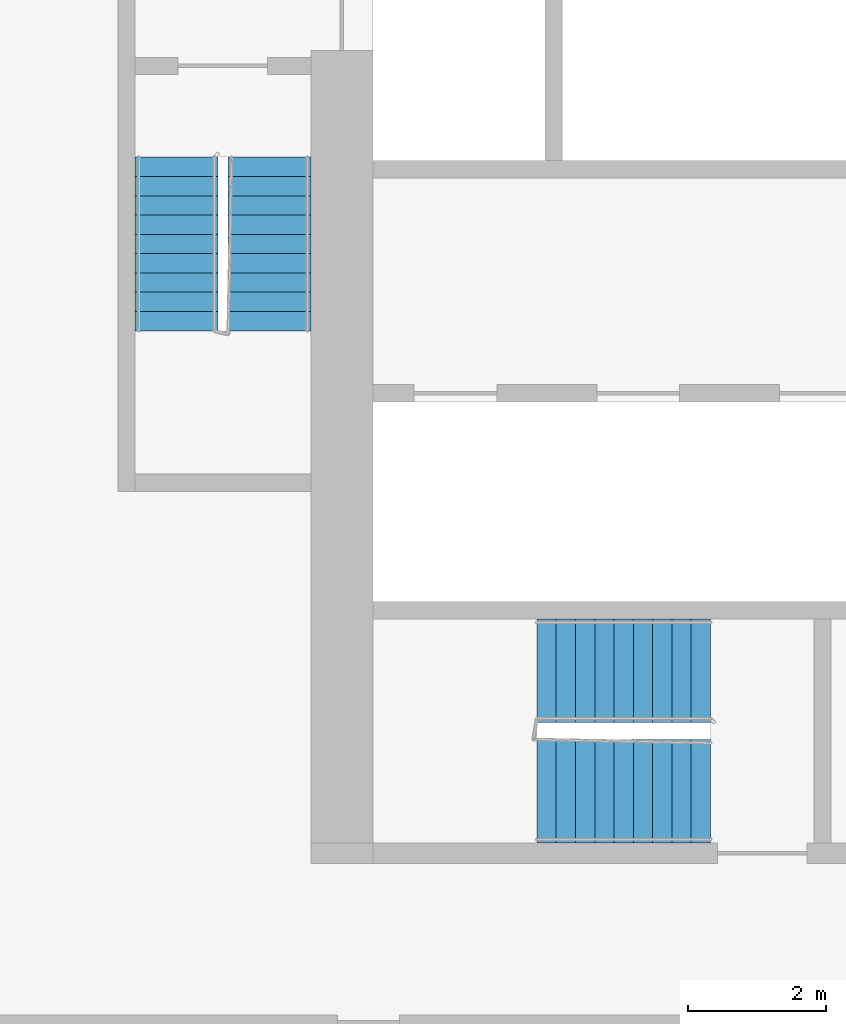
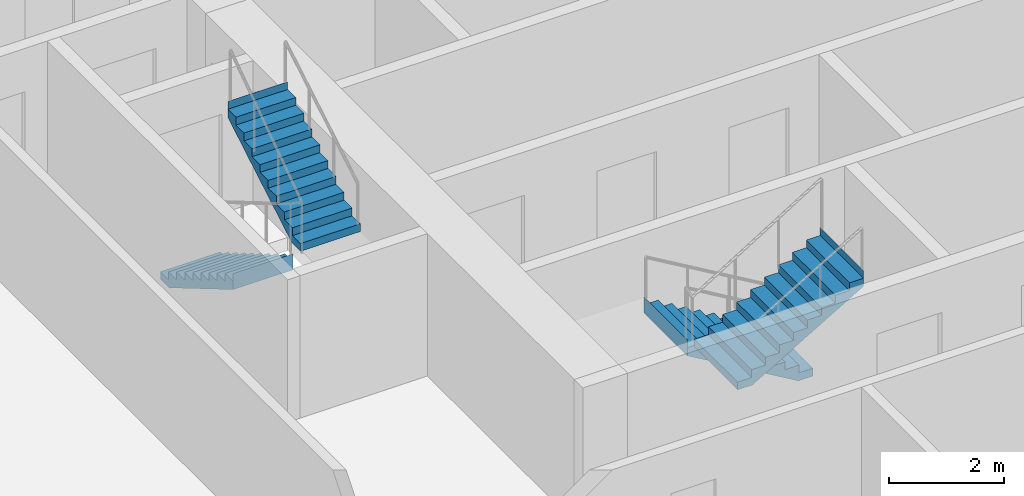
# One storey, part 9 of 12: 4 stair flights, 2 elements without a shape of their own.
"""IFC4 building model written with IfcOpenShell, lengths in metres."""

from ifc_helpers import new_model, si_unit, direction, frame, origin, place, context, subcontext, project, spatial, faceted_brep, material, type_object, element, aggregate, save


model = new_model("IFC4")

# Units and contexts
model_context = context("Model", 3, precision=1e-05, world=origin(), true_north=direction((0.0, 1.0)))
body_context = subcontext(model_context, "Body", "Model", "MODEL_VIEW")
ifc_project = project(units=[si_unit("LENGTHUNIT", "METRE"), si_unit("AREAUNIT", "SQUARE_METRE"), si_unit("VOLUMEUNIT", "CUBIC_METRE"), si_unit("PLANEANGLEUNIT", "RADIAN"), si_unit("MASSUNIT", "GRAM", prefix="KILO")], contexts=[model_context])

# Site, building, storey
site_placement = place(None, origin())
site = spatial("IfcSite", under=ifc_project, at=site_placement, CompositionType="ELEMENT")
building_placement = place(site_placement, origin())
building = spatial("IfcBuilding", under=site, at=building_placement, Name="Kajstack Hotel Tower", CompositionType="ELEMENT")
storey_placement = place(building_placement, frame((0.0, 0.0, 86.39990234375)))
storey = spatial("IfcBuildingStorey", under=building, at=storey_placement, Name="L17", CompositionType="ELEMENT", Elevation=86.39990234375)

# Stair, stair flights
ifc_material = material(Name="Concrete C40/50", Category="concrete")
stair_type_1 = type_object("IfcStairType", Name="Exit stair 1200", PredefinedType="HALF_TURN_STAIR", material=ifc_material)
stair_1_placement = place(storey_placement, origin())
stair_1 = element("IfcStair", 1, at=stair_1_placement, inside=storey, type_object=stair_type_1, Name="L17 stair W1", PredefinedType="HALF_TURN_STAIR")
stair_flight_type_1 = type_object("IfcStairFlightType", Name="Exit stair flight 1200", PredefinedType="STRAIGHT", material=ifc_material)
stair_flight_1_placement = place(storey_placement, frame((-33.449951171875, -5.25, 0.0), z_axis=(0.0, 0.0, 1.0), x_axis=(0.0, -1.0, 0.0)))
stair_flight_1 = element("IfcStairFlight", 2, at=stair_flight_1_placement, type_object=stair_flight_type_1, Name="W1 flight 1", NumberOfRisers=10, NumberOfTreads=9, PredefinedType="STRAIGHT", RiserHeight=0.165, TreadLength=0.28, context=body_context, shape_type="Brep", body=[
    faceted_brep([(0.295654296875, -0.60009765625, 0.0), (2.5205078125, -0.60009765625, 1.31103515625), (2.5205078125, -0.60009765625, 1.64990234375), (2.52001953125, -0.60009765625, 1.64990234375), (2.52001953125, -0.60009765625, 1.485107421875), (2.239990234375, -0.60009765625, 1.485107421875), (2.239990234375, -0.60009765625, 1.320068359375), (1.9599609375, -0.60009765625, 1.320068359375), (1.9599609375, -0.60009765625, 1.155029296875), (1.679931640625, -0.60009765625, 1.155029296875), (1.679931640625, -0.60009765625, 0.989990234375), (1.39990234375, -0.60009765625, 0.989990234375), (1.39990234375, -0.60009765625, 0.824951171875), (1.1201171875, -0.60009765625, 0.824951171875), (1.1201171875, -0.60009765625, 0.659912109375), (0.840087890625, -0.60009765625, 0.659912109375), (0.840087890625, -0.60009765625, 0.4951171875), (0.56005859375, -0.60009765625, 0.4951171875), (0.56005859375, -0.60009765625, 0.330078125), (0.280029296875, -0.60009765625, 0.330078125), (0.280029296875, -0.60009765625, 0.1650390625), (-0.00048828125, -0.60009765625, 0.1650390625), (-0.00048828125, -0.60009765625, 0.0), (-0.00048828125, 0.60009765625, 0.0), (-0.00048828125, 0.60009765625, 0.1650390625), (0.280029296875, 0.60009765625, 0.1650390625), (0.280029296875, 0.60009765625, 0.330078125), (0.56005859375, 0.60009765625, 0.330078125), (0.56005859375, 0.60009765625, 0.4951171875), (0.840087890625, 0.60009765625, 0.4951171875), (0.840087890625, 0.60009765625, 0.659912109375), (1.1201171875, 0.60009765625, 0.659912109375), (1.1201171875, 0.60009765625, 0.824951171875), (1.39990234375, 0.60009765625, 0.824951171875), (1.39990234375, 0.60009765625, 0.989990234375), (1.679931640625, 0.60009765625, 0.989990234375), (1.679931640625, 0.60009765625, 1.155029296875), (1.9599609375, 0.60009765625, 1.155029296875), (1.9599609375, 0.60009765625, 1.320068359375), (2.239990234375, 0.60009765625, 1.320068359375), (2.239990234375, 0.60009765625, 1.485107421875), (2.52001953125, 0.60009765625, 1.485107421875), (2.52001953125, 0.60009765625, 1.64990234375), (2.5205078125, 0.60009765625, 1.64990234375), (2.5205078125, 0.60009765625, 1.31103515625), (0.295654296875, 0.60009765625, 0.0), (-0.00048828125, -0.300048828125, 0.1650390625), (-0.00048828125, 0.0, 0.1650390625), (-0.00048828125, 0.300048828125, 0.1650390625), (-0.00048828125, 0.300048828125, 0.0), (-0.00048828125, 0.0, 0.0), (-0.00048828125, -0.300048828125, 0.0), (0.280029296875, -0.300048828125, 0.1650390625), (0.280029296875, 0.0, 0.1650390625), (0.280029296875, 0.300048828125, 0.1650390625), (0.280029296875, -0.300048828125, 0.330078125), (0.280029296875, 0.0, 0.330078125), (0.280029296875, 0.300048828125, 0.330078125), (0.56005859375, -0.300048828125, 0.330078125), (0.56005859375, 0.0, 0.330078125), (0.56005859375, 0.300048828125, 0.330078125), (0.56005859375, -0.300048828125, 0.4951171875), (0.56005859375, 0.0, 0.4951171875), (0.56005859375, 0.300048828125, 0.4951171875), (0.840087890625, -0.300048828125, 0.4951171875), (0.840087890625, 0.0, 0.4951171875), (0.840087890625, 0.300048828125, 0.4951171875), (0.840087890625, -0.300048828125, 0.659912109375), (0.840087890625, 0.0, 0.659912109375), (0.840087890625, 0.300048828125, 0.659912109375), (1.1201171875, -0.300048828125, 0.659912109375), (1.1201171875, 0.0, 0.659912109375), (1.1201171875, 0.300048828125, 0.659912109375), (1.1201171875, -0.300048828125, 0.824951171875), (1.1201171875, 0.0, 0.824951171875), (1.1201171875, 0.300048828125, 0.824951171875), (1.39990234375, -0.300048828125, 0.824951171875), (1.39990234375, 0.0, 0.824951171875), (1.39990234375, 0.300048828125, 0.824951171875), (1.39990234375, -0.300048828125, 0.989990234375), (1.39990234375, 0.0, 0.989990234375), (1.39990234375, 0.300048828125, 0.989990234375), (1.679931640625, -0.300048828125, 0.989990234375), (1.679931640625, 0.0, 0.989990234375), (1.679931640625, 0.300048828125, 0.989990234375), (1.679931640625, -0.300048828125, 1.155029296875), (1.679931640625, 0.0, 1.155029296875), (1.679931640625, 0.300048828125, 1.155029296875), (1.9599609375, -0.300048828125, 1.155029296875), (1.9599609375, 0.0, 1.155029296875), (1.9599609375, 0.300048828125, 1.155029296875), (1.9599609375, -0.300048828125, 1.320068359375), (1.9599609375, 0.0, 1.320068359375), (1.9599609375, 0.300048828125, 1.320068359375), (2.239990234375, -0.300048828125, 1.320068359375), (2.239990234375, 0.0, 1.320068359375), (2.239990234375, 0.300048828125, 1.320068359375), (2.239990234375, -0.300048828125, 1.485107421875), (2.239990234375, 0.0, 1.485107421875), (2.239990234375, 0.300048828125, 1.485107421875), (2.52001953125, -0.300048828125, 1.485107421875), (2.52001953125, 0.0, 1.485107421875), (2.52001953125, 0.300048828125, 1.485107421875), (2.52001953125, -0.300048828125, 1.64990234375), (2.52001953125, 0.0, 1.64990234375), (2.52001953125, 0.300048828125, 1.64990234375), (2.5205078125, -0.300048828125, 1.64990234375), (2.5205078125, 0.0, 1.64990234375), (2.5205078125, 0.300048828125, 1.64990234375), (2.5205078125, -0.300048828125, 1.31103515625), (2.5205078125, 0.0, 1.31103515625), (2.5205078125, 0.300048828125, 1.31103515625), (0.295654296875, -0.300048828125, 0.0), (0.295654296875, 0.0, 0.0), (0.295654296875, 0.300048828125, 0.0)], [[[0, 1, 2, 3, 4, 5, 6, 7, 8, 9, 10, 11, 12, 13, 14, 15, 16, 17, 18, 19, 20, 21, 22]], [[23, 24, 25, 26, 27, 28, 29, 30, 31, 32, 33, 34, 35, 36, 37, 38, 39, 40, 41, 42, 43, 44, 45]], [[21, 46, 47, 48, 24, 23, 49, 50, 51, 22]], [[20, 52, 53, 54, 25, 24, 48, 47, 46, 21]], [[19, 55, 56, 57, 26, 25, 54, 53, 52, 20]], [[18, 58, 59, 60, 27, 26, 57, 56, 55, 19]], [[17, 61, 62, 63, 28, 27, 60, 59, 58, 18]], [[16, 64, 65, 66, 29, 28, 63, 62, 61, 17]], [[15, 67, 68, 69, 30, 29, 66, 65, 64, 16]], [[14, 70, 71, 72, 31, 30, 69, 68, 67, 15]], [[13, 73, 74, 75, 32, 31, 72, 71, 70, 14]], [[12, 76, 77, 78, 33, 32, 75, 74, 73, 13]], [[11, 79, 80, 81, 34, 33, 78, 77, 76, 12]], [[10, 82, 83, 84, 35, 34, 81, 80, 79, 11]], [[9, 85, 86, 87, 36, 35, 84, 83, 82, 10]], [[8, 88, 89, 90, 37, 36, 87, 86, 85, 9]], [[7, 91, 92, 93, 38, 37, 90, 89, 88, 8]], [[6, 94, 95, 96, 39, 38, 93, 92, 91, 7]], [[5, 97, 98, 99, 40, 39, 96, 95, 94, 6]], [[4, 100, 101, 102, 41, 40, 99, 98, 97, 5]], [[3, 103, 104, 105, 42, 41, 102, 101, 100, 4]], [[2, 106, 107, 108, 43, 42, 105, 104, 103, 3]], [[1, 109, 110, 111, 44, 43, 108, 107, 106, 2]], [[0, 112, 113, 114, 45, 44, 111, 110, 109, 1]], [[22, 51, 50, 49, 23, 45, 114, 113, 112, 0]]]),
])
stair_flight_2_placement = place(storey_placement, frame((-32.10009765625, -7.77001953125, 1.650146484375), z_axis=(0.0, 0.0, 1.0), x_axis=(0.0, 1.0, 0.0)))
stair_flight_2 = element("IfcStairFlight", 3, at=stair_flight_2_placement, type_object=stair_flight_type_1, Name="W1 flight 2", NumberOfRisers=10, NumberOfTreads=9, PredefinedType="STRAIGHT", RiserHeight=0.165, TreadLength=0.28, context=body_context, shape_type="Brep", body=[
    faceted_brep([(0.295654296875, -0.60009765625, 0.0), (2.5205078125, -0.60009765625, 1.31103515625), (2.5205078125, -0.60009765625, 1.64990234375), (2.52001953125, -0.60009765625, 1.64990234375), (2.52001953125, -0.60009765625, 1.485107421875), (2.239990234375, -0.60009765625, 1.485107421875), (2.239990234375, -0.60009765625, 1.320068359375), (1.9599609375, -0.60009765625, 1.320068359375), (1.9599609375, -0.60009765625, 1.155029296875), (1.679931640625, -0.60009765625, 1.155029296875), (1.679931640625, -0.60009765625, 0.989990234375), (1.39990234375, -0.60009765625, 0.989990234375), (1.39990234375, -0.60009765625, 0.824951171875), (1.1201171875, -0.60009765625, 0.824951171875), (1.1201171875, -0.60009765625, 0.659912109375), (0.840087890625, -0.60009765625, 0.659912109375), (0.840087890625, -0.60009765625, 0.4951171875), (0.56005859375, -0.60009765625, 0.4951171875), (0.56005859375, -0.60009765625, 0.330078125), (0.280029296875, -0.60009765625, 0.330078125), (0.280029296875, -0.60009765625, 0.1650390625), (-0.00048828125, -0.60009765625, 0.1650390625), (-0.00048828125, -0.60009765625, 0.0), (-0.00048828125, 0.60009765625, 0.0), (-0.00048828125, 0.60009765625, 0.1650390625), (0.280029296875, 0.60009765625, 0.1650390625), (0.280029296875, 0.60009765625, 0.330078125), (0.56005859375, 0.60009765625, 0.330078125), (0.56005859375, 0.60009765625, 0.4951171875), (0.840087890625, 0.60009765625, 0.4951171875), (0.840087890625, 0.60009765625, 0.659912109375), (1.1201171875, 0.60009765625, 0.659912109375), (1.1201171875, 0.60009765625, 0.824951171875), (1.39990234375, 0.60009765625, 0.824951171875), (1.39990234375, 0.60009765625, 0.989990234375), (1.679931640625, 0.60009765625, 0.989990234375), (1.679931640625, 0.60009765625, 1.155029296875), (1.9599609375, 0.60009765625, 1.155029296875), (1.9599609375, 0.60009765625, 1.320068359375), (2.239990234375, 0.60009765625, 1.320068359375), (2.239990234375, 0.60009765625, 1.485107421875), (2.52001953125, 0.60009765625, 1.485107421875), (2.52001953125, 0.60009765625, 1.64990234375), (2.5205078125, 0.60009765625, 1.64990234375), (2.5205078125, 0.60009765625, 1.31103515625), (0.295654296875, 0.60009765625, 0.0), (-0.00048828125, -0.300048828125, 0.1650390625), (-0.00048828125, 0.0, 0.1650390625), (-0.00048828125, 0.300048828125, 0.1650390625), (-0.00048828125, 0.300048828125, 0.0), (-0.00048828125, 0.0, 0.0), (-0.00048828125, -0.300048828125, 0.0), (0.280029296875, -0.300048828125, 0.1650390625), (0.280029296875, 0.0, 0.1650390625), (0.280029296875, 0.300048828125, 0.1650390625), (0.280029296875, -0.300048828125, 0.330078125), (0.280029296875, 0.0, 0.330078125), (0.280029296875, 0.300048828125, 0.330078125), (0.56005859375, -0.300048828125, 0.330078125), (0.56005859375, 0.0, 0.330078125), (0.56005859375, 0.300048828125, 0.330078125), (0.56005859375, -0.300048828125, 0.4951171875), (0.56005859375, 0.0, 0.4951171875), (0.56005859375, 0.300048828125, 0.4951171875), (0.840087890625, -0.300048828125, 0.4951171875), (0.840087890625, 0.0, 0.4951171875), (0.840087890625, 0.300048828125, 0.4951171875), (0.840087890625, -0.300048828125, 0.659912109375), (0.840087890625, 0.0, 0.659912109375), (0.840087890625, 0.300048828125, 0.659912109375), (1.1201171875, -0.300048828125, 0.659912109375), (1.1201171875, 0.0, 0.659912109375), (1.1201171875, 0.300048828125, 0.659912109375), (1.1201171875, -0.300048828125, 0.824951171875), (1.1201171875, 0.0, 0.824951171875), (1.1201171875, 0.300048828125, 0.824951171875), (1.39990234375, -0.300048828125, 0.824951171875), (1.39990234375, 0.0, 0.824951171875), (1.39990234375, 0.300048828125, 0.824951171875), (1.39990234375, -0.300048828125, 0.989990234375), (1.39990234375, 0.0, 0.989990234375), (1.39990234375, 0.300048828125, 0.989990234375), (1.679931640625, -0.300048828125, 0.989990234375), (1.679931640625, 0.0, 0.989990234375), (1.679931640625, 0.300048828125, 0.989990234375), (1.679931640625, -0.300048828125, 1.155029296875), (1.679931640625, 0.0, 1.155029296875), (1.679931640625, 0.300048828125, 1.155029296875), (1.9599609375, -0.300048828125, 1.155029296875), (1.9599609375, 0.0, 1.155029296875), (1.9599609375, 0.300048828125, 1.155029296875), (1.9599609375, -0.300048828125, 1.320068359375), (1.9599609375, 0.0, 1.320068359375), (1.9599609375, 0.300048828125, 1.320068359375), (2.239990234375, -0.300048828125, 1.320068359375), (2.239990234375, 0.0, 1.320068359375), (2.239990234375, 0.300048828125, 1.320068359375), (2.239990234375, -0.300048828125, 1.485107421875), (2.239990234375, 0.0, 1.485107421875), (2.239990234375, 0.300048828125, 1.485107421875), (2.52001953125, -0.300048828125, 1.485107421875), (2.52001953125, 0.0, 1.485107421875), (2.52001953125, 0.300048828125, 1.485107421875), (2.52001953125, -0.300048828125, 1.64990234375), (2.52001953125, 0.0, 1.64990234375), (2.52001953125, 0.300048828125, 1.64990234375), (2.5205078125, -0.300048828125, 1.64990234375), (2.5205078125, 0.0, 1.64990234375), (2.5205078125, 0.300048828125, 1.64990234375), (2.5205078125, -0.300048828125, 1.31103515625), (2.5205078125, 0.0, 1.31103515625), (2.5205078125, 0.300048828125, 1.31103515625), (0.295654296875, -0.300048828125, 0.0), (0.295654296875, 0.0, 0.0), (0.295654296875, 0.300048828125, 0.0)], [[[0, 1, 2, 3, 4, 5, 6, 7, 8, 9, 10, 11, 12, 13, 14, 15, 16, 17, 18, 19, 20, 21, 22]], [[23, 24, 25, 26, 27, 28, 29, 30, 31, 32, 33, 34, 35, 36, 37, 38, 39, 40, 41, 42, 43, 44, 45]], [[21, 46, 47, 48, 24, 23, 49, 50, 51, 22]], [[20, 52, 53, 54, 25, 24, 48, 47, 46, 21]], [[19, 55, 56, 57, 26, 25, 54, 53, 52, 20]], [[18, 58, 59, 60, 27, 26, 57, 56, 55, 19]], [[17, 61, 62, 63, 28, 27, 60, 59, 58, 18]], [[16, 64, 65, 66, 29, 28, 63, 62, 61, 17]], [[15, 67, 68, 69, 30, 29, 66, 65, 64, 16]], [[14, 70, 71, 72, 31, 30, 69, 68, 67, 15]], [[13, 73, 74, 75, 32, 31, 72, 71, 70, 14]], [[12, 76, 77, 78, 33, 32, 75, 74, 73, 13]], [[11, 79, 80, 81, 34, 33, 78, 77, 76, 12]], [[10, 82, 83, 84, 35, 34, 81, 80, 79, 11]], [[9, 85, 86, 87, 36, 35, 84, 83, 82, 10]], [[8, 88, 89, 90, 37, 36, 87, 86, 85, 9]], [[7, 91, 92, 93, 38, 37, 90, 89, 88, 8]], [[6, 94, 95, 96, 39, 38, 93, 92, 91, 7]], [[5, 97, 98, 99, 40, 39, 96, 95, 94, 6]], [[4, 100, 101, 102, 41, 40, 99, 98, 97, 5]], [[3, 103, 104, 105, 42, 41, 102, 101, 100, 4]], [[2, 106, 107, 108, 43, 42, 105, 104, 103, 3]], [[1, 109, 110, 111, 44, 43, 108, 107, 106, 2]], [[0, 112, 113, 114, 45, 44, 111, 110, 109, 1]], [[22, 51, 50, 49, 23, 45, 114, 113, 112, 0]]]),
])
aggregate(stair_1, [stair_flight_1, stair_flight_2])

stair_type_2 = type_object("IfcStairType", Name="Exit stair 1500", PredefinedType="HALF_TURN_STAIR", material=ifc_material)
stair_2_placement = place(storey_placement, origin())
stair_2 = element("IfcStair", 4, at=stair_2_placement, inside=storey, type_object=stair_type_2, Name="L17 stair W3", PredefinedType="HALF_TURN_STAIR")
stair_flight_type_2 = type_object("IfcStairFlightType", Name="Exit stair flight 1500", PredefinedType="STRAIGHT", material=ifc_material)
stair_flight_3_placement = place(storey_placement, frame((-25.699951171875, -12.699951171875, 0.0), z_axis=(0.0, 0.0, 1.0), x_axis=(-1.0, 0.0, 0.0)))
stair_flight_3 = element("IfcStairFlight", 5, at=stair_flight_3_placement, type_object=stair_flight_type_2, Name="W3 flight 1", NumberOfRisers=10, NumberOfTreads=9, PredefinedType="STRAIGHT", RiserHeight=0.165, TreadLength=0.28, context=body_context, shape_type="Brep", body=[
    faceted_brep([(0.295654296875, -0.75, 0.0), (2.5205078125, -0.75, 1.31103515625), (2.5205078125, -0.75, 1.64990234375), (2.52001953125, -0.75, 1.64990234375), (2.52001953125, -0.75, 1.485107421875), (2.239990234375, -0.75, 1.485107421875), (2.239990234375, -0.75, 1.320068359375), (1.9599609375, -0.75, 1.320068359375), (1.9599609375, -0.75, 1.155029296875), (1.679931640625, -0.75, 1.155029296875), (1.679931640625, -0.75, 0.989990234375), (1.39990234375, -0.75, 0.989990234375), (1.39990234375, -0.75, 0.824951171875), (1.1201171875, -0.75, 0.824951171875), (1.1201171875, -0.75, 0.659912109375), (0.840087890625, -0.75, 0.659912109375), (0.840087890625, -0.75, 0.4951171875), (0.56005859375, -0.75, 0.4951171875), (0.56005859375, -0.75, 0.330078125), (0.280029296875, -0.75, 0.330078125), (0.280029296875, -0.75, 0.1650390625), (-0.00048828125, -0.75, 0.1650390625), (-0.00048828125, -0.75, 0.0), (-0.00048828125, 0.75, 0.0), (-0.00048828125, 0.75, 0.1650390625), (0.280029296875, 0.75, 0.1650390625), (0.280029296875, 0.75, 0.330078125), (0.56005859375, 0.75, 0.330078125), (0.56005859375, 0.75, 0.4951171875), (0.840087890625, 0.75, 0.4951171875), (0.840087890625, 0.75, 0.659912109375), (1.1201171875, 0.75, 0.659912109375), (1.1201171875, 0.75, 0.824951171875), (1.39990234375, 0.75, 0.824951171875), (1.39990234375, 0.75, 0.989990234375), (1.679931640625, 0.75, 0.989990234375), (1.679931640625, 0.75, 1.155029296875), (1.9599609375, 0.75, 1.155029296875), (1.9599609375, 0.75, 1.320068359375), (2.239990234375, 0.75, 1.320068359375), (2.239990234375, 0.75, 1.485107421875), (2.52001953125, 0.75, 1.485107421875), (2.52001953125, 0.75, 1.64990234375), (2.5205078125, 0.75, 1.64990234375), (2.5205078125, 0.75, 1.31103515625), (0.295654296875, 0.75, 0.0), (-0.00048828125, -0.375, 0.1650390625), (-0.00048828125, 0.0, 0.1650390625), (-0.00048828125, 0.375, 0.1650390625), (-0.00048828125, 0.375, 0.0), (-0.00048828125, 0.0, 0.0), (-0.00048828125, -0.375, 0.0), (0.280029296875, -0.375, 0.1650390625), (0.280029296875, 0.0, 0.1650390625), (0.280029296875, 0.375, 0.1650390625), (0.280029296875, -0.375, 0.330078125), (0.280029296875, 0.0, 0.330078125), (0.280029296875, 0.375, 0.330078125), (0.56005859375, -0.375, 0.330078125), (0.56005859375, 0.0, 0.330078125), (0.56005859375, 0.375, 0.330078125), (0.56005859375, -0.375, 0.4951171875), (0.56005859375, 0.0, 0.4951171875), (0.56005859375, 0.375, 0.4951171875), (0.840087890625, -0.375, 0.4951171875), (0.840087890625, 0.0, 0.4951171875), (0.840087890625, 0.375, 0.4951171875), (0.840087890625, -0.375, 0.659912109375), (0.840087890625, 0.0, 0.659912109375), (0.840087890625, 0.375, 0.659912109375), (1.1201171875, -0.375, 0.659912109375), (1.1201171875, 0.0, 0.659912109375), (1.1201171875, 0.375, 0.659912109375), (1.1201171875, -0.375, 0.824951171875), (1.1201171875, 0.0, 0.824951171875), (1.1201171875, 0.375, 0.824951171875), (1.39990234375, -0.375, 0.824951171875), (1.39990234375, 0.0, 0.824951171875), (1.39990234375, 0.375, 0.824951171875), (1.39990234375, -0.375, 0.989990234375), (1.39990234375, 0.0, 0.989990234375), (1.39990234375, 0.375, 0.989990234375), (1.679931640625, -0.375, 0.989990234375), (1.679931640625, 0.0, 0.989990234375), (1.679931640625, 0.375, 0.989990234375), (1.679931640625, -0.375, 1.155029296875), (1.679931640625, 0.0, 1.155029296875), (1.679931640625, 0.375, 1.155029296875), (1.9599609375, -0.375, 1.155029296875), (1.9599609375, 0.0, 1.155029296875), (1.9599609375, 0.375, 1.155029296875), (1.9599609375, -0.375, 1.320068359375), (1.9599609375, 0.0, 1.320068359375), (1.9599609375, 0.375, 1.320068359375), (2.239990234375, -0.375, 1.320068359375), (2.239990234375, 0.0, 1.320068359375), (2.239990234375, 0.375, 1.320068359375), (2.239990234375, -0.375, 1.485107421875), (2.239990234375, 0.0, 1.485107421875), (2.239990234375, 0.375, 1.485107421875), (2.52001953125, -0.375, 1.485107421875), (2.52001953125, 0.0, 1.485107421875), (2.52001953125, 0.375, 1.485107421875), (2.52001953125, -0.375, 1.64990234375), (2.52001953125, 0.0, 1.64990234375), (2.52001953125, 0.375, 1.64990234375), (2.5205078125, -0.375, 1.64990234375), (2.5205078125, 0.0, 1.64990234375), (2.5205078125, 0.375, 1.64990234375), (2.5205078125, -0.375, 1.31103515625), (2.5205078125, 0.0, 1.31103515625), (2.5205078125, 0.375, 1.31103515625), (0.295654296875, -0.375, 0.0), (0.295654296875, 0.0, 0.0), (0.295654296875, 0.375, 0.0)], [[[0, 1, 2, 3, 4, 5, 6, 7, 8, 9, 10, 11, 12, 13, 14, 15, 16, 17, 18, 19, 20, 21, 22]], [[23, 24, 25, 26, 27, 28, 29, 30, 31, 32, 33, 34, 35, 36, 37, 38, 39, 40, 41, 42, 43, 44, 45]], [[21, 46, 47, 48, 24, 23, 49, 50, 51, 22]], [[20, 52, 53, 54, 25, 24, 48, 47, 46, 21]], [[19, 55, 56, 57, 26, 25, 54, 53, 52, 20]], [[18, 58, 59, 60, 27, 26, 57, 56, 55, 19]], [[17, 61, 62, 63, 28, 27, 60, 59, 58, 18]], [[16, 64, 65, 66, 29, 28, 63, 62, 61, 17]], [[15, 67, 68, 69, 30, 29, 66, 65, 64, 16]], [[14, 70, 71, 72, 31, 30, 69, 68, 67, 15]], [[13, 73, 74, 75, 32, 31, 72, 71, 70, 14]], [[12, 76, 77, 78, 33, 32, 75, 74, 73, 13]], [[11, 79, 80, 81, 34, 33, 78, 77, 76, 12]], [[10, 82, 83, 84, 35, 34, 81, 80, 79, 11]], [[9, 85, 86, 87, 36, 35, 84, 83, 82, 10]], [[8, 88, 89, 90, 37, 36, 87, 86, 85, 9]], [[7, 91, 92, 93, 38, 37, 90, 89, 88, 8]], [[6, 94, 95, 96, 39, 38, 93, 92, 91, 7]], [[5, 97, 98, 99, 40, 39, 96, 95, 94, 6]], [[4, 100, 101, 102, 41, 40, 99, 98, 97, 5]], [[3, 103, 104, 105, 42, 41, 102, 101, 100, 4]], [[2, 106, 107, 108, 43, 42, 105, 104, 103, 3]], [[1, 109, 110, 111, 44, 43, 108, 107, 106, 2]], [[0, 112, 113, 114, 45, 44, 111, 110, 109, 1]], [[22, 51, 50, 49, 23, 45, 114, 113, 112, 0]]]),
])
stair_flight_4_placement = place(storey_placement, frame((-28.219970703125, -14.449951171875, 1.650146484375), z_axis=(0.0, 0.0, 1.0), x_axis=(1.0, 0.0, 0.0)))
stair_flight_4 = element("IfcStairFlight", 6, at=stair_flight_4_placement, type_object=stair_flight_type_2, Name="W3 flight 2", NumberOfRisers=10, NumberOfTreads=9, PredefinedType="STRAIGHT", RiserHeight=0.165, TreadLength=0.28, context=body_context, shape_type="Brep", body=[
    faceted_brep([(0.295654296875, -0.75, 0.0), (2.5205078125, -0.75, 1.31103515625), (2.5205078125, -0.75, 1.64990234375), (2.52001953125, -0.75, 1.64990234375), (2.52001953125, -0.75, 1.485107421875), (2.239990234375, -0.75, 1.485107421875), (2.239990234375, -0.75, 1.320068359375), (1.9599609375, -0.75, 1.320068359375), (1.9599609375, -0.75, 1.155029296875), (1.679931640625, -0.75, 1.155029296875), (1.679931640625, -0.75, 0.989990234375), (1.39990234375, -0.75, 0.989990234375), (1.39990234375, -0.75, 0.824951171875), (1.1201171875, -0.75, 0.824951171875), (1.1201171875, -0.75, 0.659912109375), (0.840087890625, -0.75, 0.659912109375), (0.840087890625, -0.75, 0.4951171875), (0.56005859375, -0.75, 0.4951171875), (0.56005859375, -0.75, 0.330078125), (0.280029296875, -0.75, 0.330078125), (0.280029296875, -0.75, 0.1650390625), (-0.00048828125, -0.75, 0.1650390625), (-0.00048828125, -0.75, 0.0), (-0.00048828125, 0.75, 0.0), (-0.00048828125, 0.75, 0.1650390625), (0.280029296875, 0.75, 0.1650390625), (0.280029296875, 0.75, 0.330078125), (0.56005859375, 0.75, 0.330078125), (0.56005859375, 0.75, 0.4951171875), (0.840087890625, 0.75, 0.4951171875), (0.840087890625, 0.75, 0.659912109375), (1.1201171875, 0.75, 0.659912109375), (1.1201171875, 0.75, 0.824951171875), (1.39990234375, 0.75, 0.824951171875), (1.39990234375, 0.75, 0.989990234375), (1.679931640625, 0.75, 0.989990234375), (1.679931640625, 0.75, 1.155029296875), (1.9599609375, 0.75, 1.155029296875), (1.9599609375, 0.75, 1.320068359375), (2.239990234375, 0.75, 1.320068359375), (2.239990234375, 0.75, 1.485107421875), (2.52001953125, 0.75, 1.485107421875), (2.52001953125, 0.75, 1.64990234375), (2.5205078125, 0.75, 1.64990234375), (2.5205078125, 0.75, 1.31103515625), (0.295654296875, 0.75, 0.0), (-0.00048828125, -0.375, 0.1650390625), (-0.00048828125, 0.0, 0.1650390625), (-0.00048828125, 0.375, 0.1650390625), (-0.00048828125, 0.375, 0.0), (-0.00048828125, 0.0, 0.0), (-0.00048828125, -0.375, 0.0), (0.280029296875, -0.375, 0.1650390625), (0.280029296875, 0.0, 0.1650390625), (0.280029296875, 0.375, 0.1650390625), (0.280029296875, -0.375, 0.330078125), (0.280029296875, 0.0, 0.330078125), (0.280029296875, 0.375, 0.330078125), (0.56005859375, -0.375, 0.330078125), (0.56005859375, 0.0, 0.330078125), (0.56005859375, 0.375, 0.330078125), (0.56005859375, -0.375, 0.4951171875), (0.56005859375, 0.0, 0.4951171875), (0.56005859375, 0.375, 0.4951171875), (0.840087890625, -0.375, 0.4951171875), (0.840087890625, 0.0, 0.4951171875), (0.840087890625, 0.375, 0.4951171875), (0.840087890625, -0.375, 0.659912109375), (0.840087890625, 0.0, 0.659912109375), (0.840087890625, 0.375, 0.659912109375), (1.1201171875, -0.375, 0.659912109375), (1.1201171875, 0.0, 0.659912109375), (1.1201171875, 0.375, 0.659912109375), (1.1201171875, -0.375, 0.824951171875), (1.1201171875, 0.0, 0.824951171875), (1.1201171875, 0.375, 0.824951171875), (1.39990234375, -0.375, 0.824951171875), (1.39990234375, 0.0, 0.824951171875), (1.39990234375, 0.375, 0.824951171875), (1.39990234375, -0.375, 0.989990234375), (1.39990234375, 0.0, 0.989990234375), (1.39990234375, 0.375, 0.989990234375), (1.679931640625, -0.375, 0.989990234375), (1.679931640625, 0.0, 0.989990234375), (1.679931640625, 0.375, 0.989990234375), (1.679931640625, -0.375, 1.155029296875), (1.679931640625, 0.0, 1.155029296875), (1.679931640625, 0.375, 1.155029296875), (1.9599609375, -0.375, 1.155029296875), (1.9599609375, 0.0, 1.155029296875), (1.9599609375, 0.375, 1.155029296875), (1.9599609375, -0.375, 1.320068359375), (1.9599609375, 0.0, 1.320068359375), (1.9599609375, 0.375, 1.320068359375), (2.239990234375, -0.375, 1.320068359375), (2.239990234375, 0.0, 1.320068359375), (2.239990234375, 0.375, 1.320068359375), (2.239990234375, -0.375, 1.485107421875), (2.239990234375, 0.0, 1.485107421875), (2.239990234375, 0.375, 1.485107421875), (2.52001953125, -0.375, 1.485107421875), (2.52001953125, 0.0, 1.485107421875), (2.52001953125, 0.375, 1.485107421875), (2.52001953125, -0.375, 1.64990234375), (2.52001953125, 0.0, 1.64990234375), (2.52001953125, 0.375, 1.64990234375), (2.5205078125, -0.375, 1.64990234375), (2.5205078125, 0.0, 1.64990234375), (2.5205078125, 0.375, 1.64990234375), (2.5205078125, -0.375, 1.31103515625), (2.5205078125, 0.0, 1.31103515625), (2.5205078125, 0.375, 1.31103515625), (0.295654296875, -0.375, 0.0), (0.295654296875, 0.0, 0.0), (0.295654296875, 0.375, 0.0)], [[[0, 1, 2, 3, 4, 5, 6, 7, 8, 9, 10, 11, 12, 13, 14, 15, 16, 17, 18, 19, 20, 21, 22]], [[23, 24, 25, 26, 27, 28, 29, 30, 31, 32, 33, 34, 35, 36, 37, 38, 39, 40, 41, 42, 43, 44, 45]], [[21, 46, 47, 48, 24, 23, 49, 50, 51, 22]], [[20, 52, 53, 54, 25, 24, 48, 47, 46, 21]], [[19, 55, 56, 57, 26, 25, 54, 53, 52, 20]], [[18, 58, 59, 60, 27, 26, 57, 56, 55, 19]], [[17, 61, 62, 63, 28, 27, 60, 59, 58, 18]], [[16, 64, 65, 66, 29, 28, 63, 62, 61, 17]], [[15, 67, 68, 69, 30, 29, 66, 65, 64, 16]], [[14, 70, 71, 72, 31, 30, 69, 68, 67, 15]], [[13, 73, 74, 75, 32, 31, 72, 71, 70, 14]], [[12, 76, 77, 78, 33, 32, 75, 74, 73, 13]], [[11, 79, 80, 81, 34, 33, 78, 77, 76, 12]], [[10, 82, 83, 84, 35, 34, 81, 80, 79, 11]], [[9, 85, 86, 87, 36, 35, 84, 83, 82, 10]], [[8, 88, 89, 90, 37, 36, 87, 86, 85, 9]], [[7, 91, 92, 93, 38, 37, 90, 89, 88, 8]], [[6, 94, 95, 96, 39, 38, 93, 92, 91, 7]], [[5, 97, 98, 99, 40, 39, 96, 95, 94, 6]], [[4, 100, 101, 102, 41, 40, 99, 98, 97, 5]], [[3, 103, 104, 105, 42, 41, 102, 101, 100, 4]], [[2, 106, 107, 108, 43, 42, 105, 104, 103, 3]], [[1, 109, 110, 111, 44, 43, 108, 107, 106, 2]], [[0, 112, 113, 114, 45, 44, 111, 110, 109, 1]], [[22, 51, 50, 49, 23, 45, 114, 113, 112, 0]]]),
])
aggregate(stair_2, [stair_flight_3, stair_flight_4])

save(model, "model.ifc")
